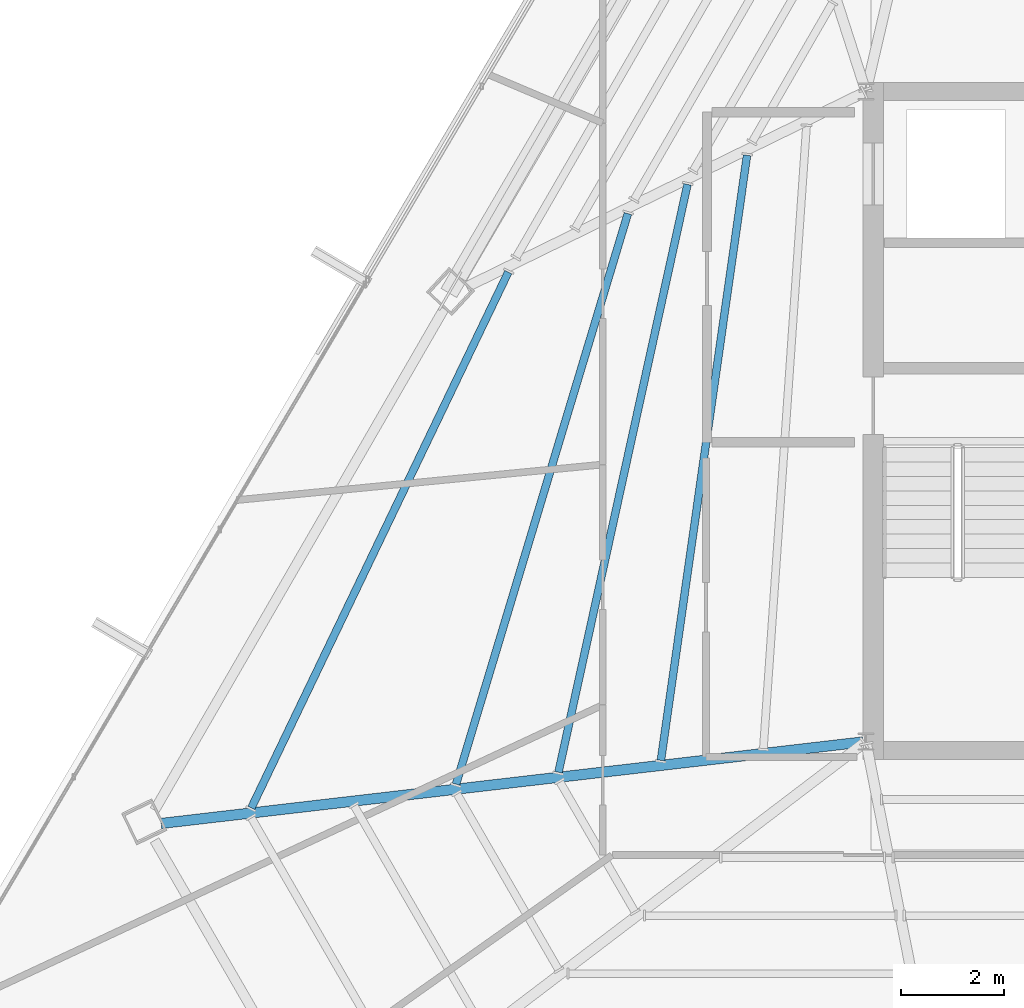
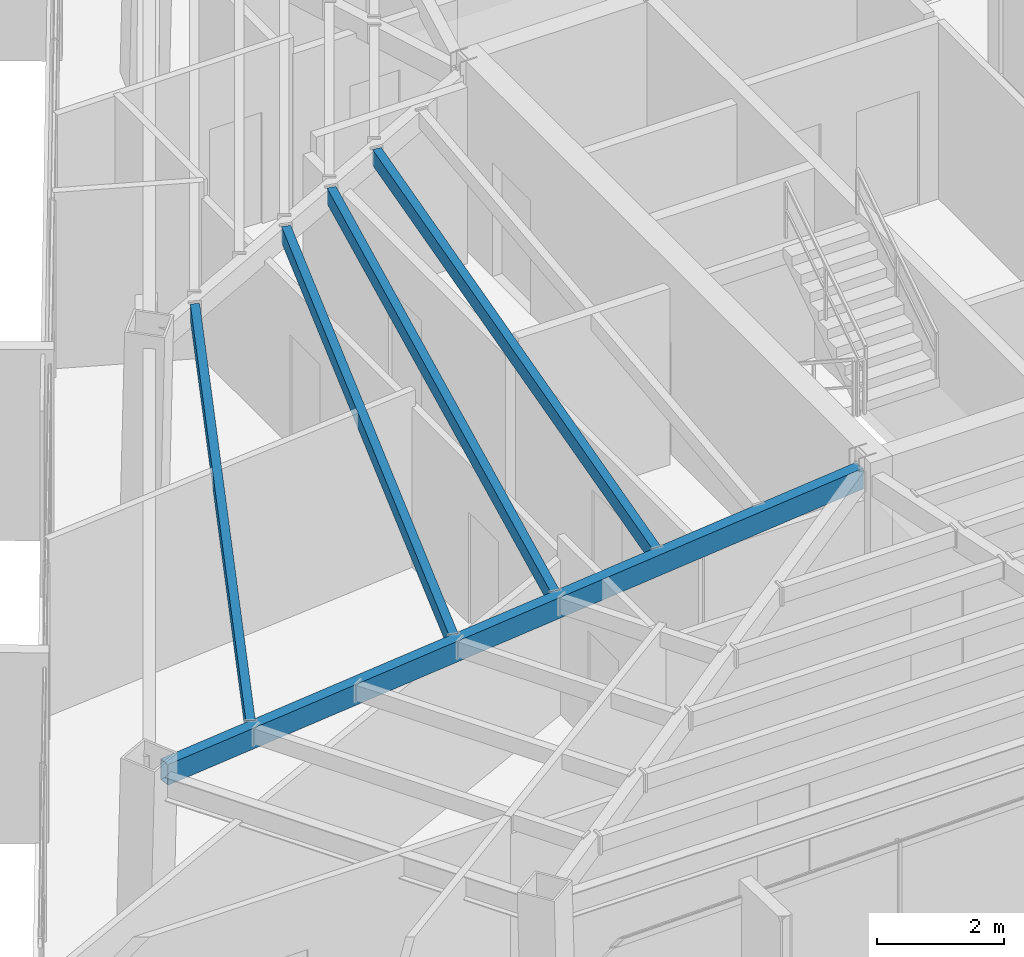
# One storey, part 10 of 45: 5 beams.
"""IFC4 building model written with IfcOpenShell, lengths in metres."""

from ifc_helpers import new_model, si_unit, direction, frame, origin, origin_2d, place, context, subcontext, project, spatial, hollow_rectangle, extrude, source, transform, mapped, material, material_profile, profile_set, type_object, type_shapes, element, save


model = new_model("IFC4")

# Units and contexts
model_context = context("Model", 3, precision=1e-05, world=origin(), true_north=direction((0.0, 1.0)))
body_context = subcontext(model_context, "Body", "Model", "MODEL_VIEW")
ifc_project = project(units=[si_unit("LENGTHUNIT", "METRE"), si_unit("AREAUNIT", "SQUARE_METRE"), si_unit("VOLUMEUNIT", "CUBIC_METRE"), si_unit("PLANEANGLEUNIT", "RADIAN"), si_unit("MASSUNIT", "GRAM", prefix="KILO")], contexts=[model_context])

# Site, building, storey
site_placement = place(None, origin())
site = spatial("IfcSite", under=ifc_project, at=site_placement, CompositionType="ELEMENT")
building_placement = place(site_placement, origin())
building = spatial("IfcBuilding", under=site, at=building_placement, Name="Caelisora Broadcast Tower", CompositionType="ELEMENT")
storey_placement = place(building_placement, frame((0.0, 0.0, 262.699951171875)))
storey = spatial("IfcBuildingStorey", under=building, at=storey_placement, Name="L69", CompositionType="ELEMENT", Elevation=262.699951171875)

# Beams
ifc_material = material(Name="Steel Grade 350 (AS/NZS 1163 C350L0)", Category="steel")
ifc_material_profile_1 = material_profile(ifc_material, hollow_rectangle(XDim=0.199951171875, YDim=0.39990234375, WallThickness=0.012451171875, at=origin_2d()), Name="Steel Grade 350 (AS/NZS 1163 C350L0)")
ifc_profile_set_1 = profile_set([ifc_material_profile_1], Name="Steel Grade 350 (AS/NZS 1163 C350L0)")
beam_type_1 = type_object("IfcBeamType", Name="PG07", PredefinedType="BEAM", material=ifc_profile_set_1)
shared_shape_1 = source(origin(), body_context, "Body", "SweptSolid", [
    extrude(hollow_rectangle(XDim=0.199951171875, YDim=0.39990234375, WallThickness=0.012451171875, at=origin_2d()), origin(), (0.0, 0.0, 1.0), 13.692138671875),
])
type_shapes(beam_type_1, [shared_shape_1])
beam_1_placement = place(storey_placement, frame((30.4404296875, 17.39306640625, 3.199951171875), z_axis=(-0.993321027187, -0.115383434461, 0.0), x_axis=(0.115383434461, -0.993321027187, 0.0)))
element("IfcBeam", 1, at=beam_1_placement, inside=storey, type_object=beam_type_1, Name="L69 beam PG07", PredefinedType="BEAM", context=body_context, shape_type="MappedRepresentation", body=[
    mapped(shared_shape_1, transform((0.0, 0.0, 0.0), scale=1.0)),
])
ifc_material_profile_2 = material_profile(ifc_material, hollow_rectangle(XDim=0.14990234375, YDim=0.300048828125, WallThickness=0.010009765625, at=origin_2d()), Name="Steel Grade 350 (AS/NZS 1163 C350L0)")
ifc_profile_set_2 = profile_set([ifc_material_profile_2], Name="Steel Grade 350 (AS/NZS 1163 C350L0)")
beam_type_2 = type_object("IfcBeamType", Name="SB05", PredefinedType="JOIST", material=ifc_profile_set_2)
shared_shape_2 = source(origin(), body_context, "Body", "SweptSolid", [
    extrude(hollow_rectangle(XDim=0.14990234375, YDim=0.300048828125, WallThickness=0.010009765625, at=origin_2d()), origin(), (0.0, 0.0, 1.0), 11.84619140625),
])
beam_2_placement = place(storey_placement, frame((28.19580078125, 28.76416015625, 3.25), z_axis=(-0.140904871279, -0.990023139755, 0.0), x_axis=(0.990023139755, -0.140904871279, 0.0)))
element("IfcBeam", 2, at=beam_2_placement, inside=storey, type_object=beam_type_2, Name="L69 beam SB05", PredefinedType="JOIST", context=body_context, shape_type="MappedRepresentation", body=[
    mapped(shared_shape_2, transform((0.0, 0.0, 0.0), scale=1.0)),
])
shared_shape_3 = source(origin(), body_context, "Body", "SweptSolid", [
    extrude(hollow_rectangle(XDim=0.14990234375, YDim=0.300048828125, WallThickness=0.010009765625, at=origin_2d()), origin(), (0.0, 0.0, 1.0), 11.665283203125),
])
beam_3_placement = place(storey_placement, frame((27.041748046875, 28.19970703125, 3.25), z_axis=(-0.214394633019, -0.976747122511, 0.0), x_axis=(0.976747122511, -0.214394633019, 0.0)))
element("IfcBeam", 3, at=beam_3_placement, inside=storey, type_object=beam_type_2, Name="L69 beam SB05", PredefinedType="JOIST", context=body_context, shape_type="MappedRepresentation", body=[
    mapped(shared_shape_3, transform((0.0, 0.0, 0.0), scale=1.0)),
])
shared_shape_4 = source(origin(), body_context, "Body", "SweptSolid", [
    extrude(hollow_rectangle(XDim=0.14990234375, YDim=0.300048828125, WallThickness=0.010009765625, at=origin_2d()), origin(), (0.0, 0.0, 1.0), 11.5498046875),
])
beam_4_placement = place(storey_placement, frame((25.88623046875, 27.63427734375, 3.25), z_axis=(-0.28836778785, -0.957519722476, 0.0), x_axis=(0.957519722476, -0.28836778785, 0.0)))
element("IfcBeam", 4, at=beam_4_placement, inside=storey, type_object=beam_type_2, Name="L69 beam SB05", PredefinedType="JOIST", context=body_context, shape_type="MappedRepresentation", body=[
    mapped(shared_shape_4, transform((0.0, 0.0, 0.0), scale=1.0)),
])
shared_shape_5 = source(origin(), body_context, "Body", "SweptSolid", [
    extrude(hollow_rectangle(XDim=0.14990234375, YDim=0.300048828125, WallThickness=0.010009765625, at=origin_2d()), origin(), (0.0, 0.0, 1.0), 11.5185546875),
])
type_shapes(beam_type_2, [shared_shape_2, shared_shape_3, shared_shape_4, shared_shape_5])
beam_5_placement = place(storey_placement, frame((23.568603515625, 26.5, 3.25), z_axis=(-0.432451977239, -0.901656967689, 0.0), x_axis=(0.901656967689, -0.432451977239, 0.0)))
element("IfcBeam", 5, at=beam_5_placement, inside=storey, type_object=beam_type_2, Name="L69 beam SB05", PredefinedType="JOIST", context=body_context, shape_type="MappedRepresentation", body=[
    mapped(shared_shape_5, transform((0.0, 0.0, 0.0), scale=1.0)),
])

save(model, "model.ifc")
